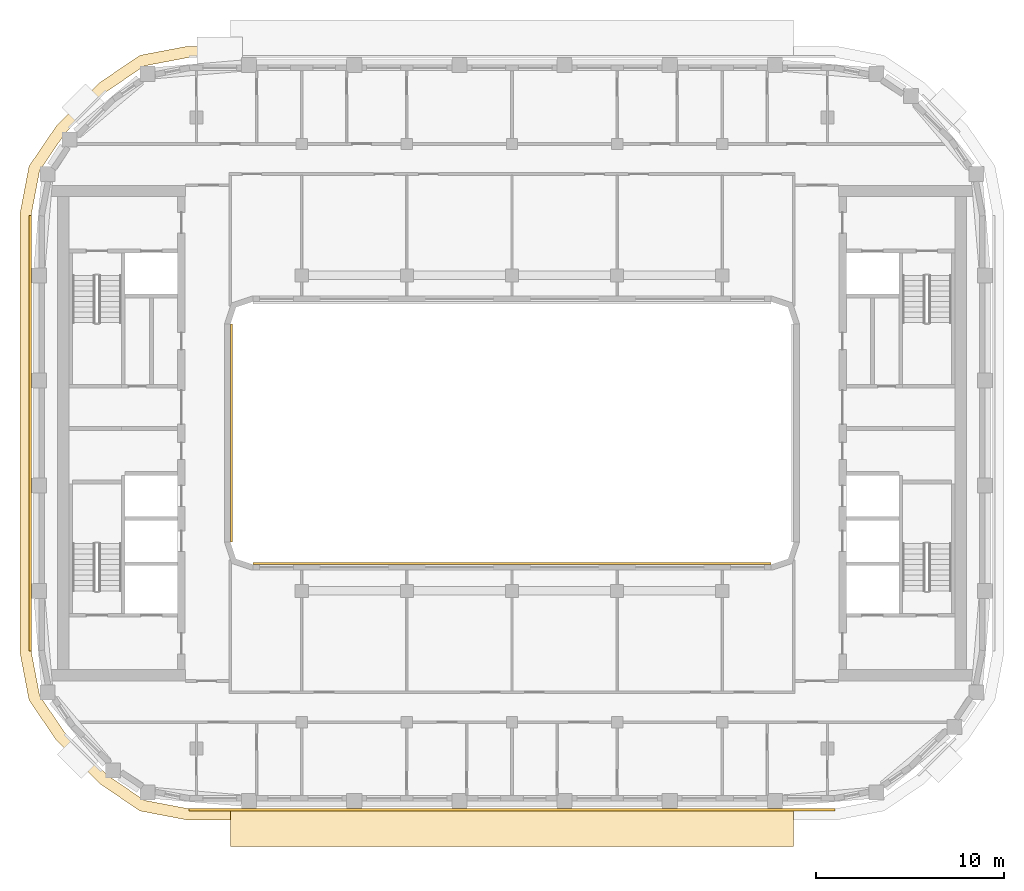
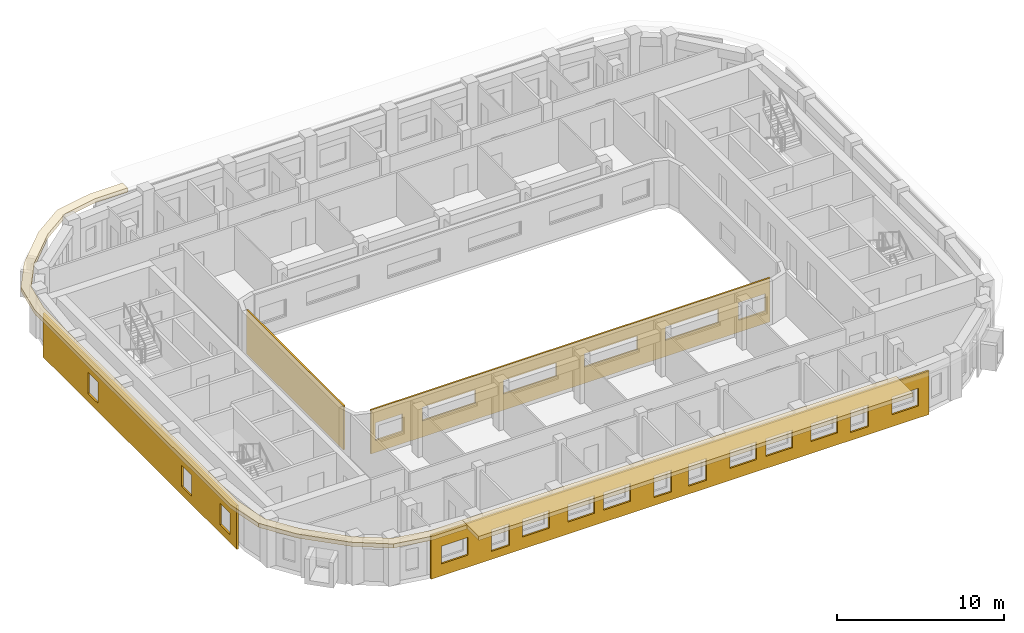
# One storey, part 10 of 15: 6 coverings.
"""IFC4 building model written with IfcOpenShell, lengths in metres."""

from ifc_helpers import new_model, si_unit, direction, frame, origin, place, context, subcontext, project, spatial, polyline, outline, extrude, material, layer, layer_set, type_object, element, save


model = new_model("IFC4")

# Units and contexts
model_context = context("Model", 3, precision=1e-05, world=origin(), true_north=direction((0.0, 1.0)))
body_context = subcontext(model_context, "Body", "Model", "MODEL_VIEW")
ifc_project = project(units=[si_unit("LENGTHUNIT", "METRE"), si_unit("AREAUNIT", "SQUARE_METRE"), si_unit("VOLUMEUNIT", "CUBIC_METRE"), si_unit("PLANEANGLEUNIT", "RADIAN"), si_unit("MASSUNIT", "GRAM", prefix="KILO")], contexts=[model_context])

# Site, building, storey
site_placement = place(None, origin())
site = spatial("IfcSite", under=ifc_project, at=site_placement, CompositionType="ELEMENT")
building_placement = place(site_placement, origin())
building = spatial("IfcBuilding", under=site, at=building_placement, Name="Kiln Ring Residences", CompositionType="ELEMENT")
storey_placement = place(building_placement, frame((0.0, 0.0, 252.199951171875)))
storey = spatial("IfcBuildingStorey", under=building, at=storey_placement, Name="L65", CompositionType="ELEMENT", Elevation=252.199951171875)

# Coverings
ifc_material_1 = material(Name="Brick masonry, dark clay brick", Category="masonry")
ifc_layer_1 = layer(ifc_material_1, 0.1201171875)
ifc_layer_set_1 = layer_set([ifc_layer_1], Name="RAINSCREEN PANEL 120")
covering_type_1 = type_object("IfcCoveringType", Name="RAINSCREEN PANEL 120", PredefinedType="CLADDING", material=ifc_layer_set_1)
covering_1_placement = place(storey_placement, frame((-17.199951171875, -20.06005859375, 0.0), z_axis=(0.0, 0.0, 1.0), x_axis=(1.0, 0.0, 0.0)))
element("IfcCovering", 1, at=covering_1_placement, inside=storey, type_object=covering_type_1, Name="RAINSCREEN L65", PredefinedType="CLADDING", context=body_context, shape_type="SweptSolid", body=[
    extrude(outline(polyline([(0.0, 0.0), (34.39990234375, 0.0), (34.39990234375, 3.199951171875), (0.0, 3.199951171875), (0.0, 0.0)]), holes=[polyline([(4.179931640625, 0.580078125), (5.419921875, 0.580078125), (5.419921875, 2.170166015625), (4.179931640625, 2.170166015625), (4.179931640625, 0.580078125)]), polyline([(15.3798828125, 2.170166015625), (15.3798828125, 0.580078125), (16.6201171875, 0.580078125), (16.6201171875, 2.170166015625), (15.3798828125, 2.170166015625)]), polyline([(0.717529296875, 2.170166015625), (0.717529296875, 0.880126953125), (2.5576171875, 0.880126953125), (2.5576171875, 2.170166015625), (0.717529296875, 2.170166015625)]), polyline([(6.3173828125, 0.880126953125), (8.157470703125, 0.880126953125), (8.157470703125, 2.170166015625), (6.3173828125, 2.170166015625), (6.3173828125, 0.880126953125)]), polyline([(9.4423828125, 2.170166015625), (9.4423828125, 0.880126953125), (11.282470703125, 0.880126953125), (11.282470703125, 2.170166015625), (9.4423828125, 2.170166015625)]), polyline([(11.91748046875, 2.170166015625), (11.91748046875, 0.880126953125), (13.757568359375, 0.880126953125), (13.757568359375, 2.170166015625), (11.91748046875, 2.170166015625)]), polyline([(17.780029296875, 0.580078125), (19.02001953125, 0.580078125), (19.02001953125, 2.170166015625), (17.780029296875, 2.170166015625), (17.780029296875, 0.580078125)]), polyline([(28.97998046875, 2.170166015625), (28.97998046875, 0.580078125), (30.219970703125, 0.580078125), (30.219970703125, 2.170166015625), (28.97998046875, 2.170166015625)]), polyline([(20.642578125, 2.170166015625), (20.642578125, 0.880126953125), (22.482421875, 0.880126953125), (22.482421875, 2.170166015625), (20.642578125, 2.170166015625)]), polyline([(23.117431640625, 0.880126953125), (24.95751953125, 0.880126953125), (24.95751953125, 2.170166015625), (23.117431640625, 2.170166015625), (23.117431640625, 0.880126953125)]), polyline([(26.242431640625, 2.170166015625), (26.242431640625, 0.880126953125), (28.08251953125, 0.880126953125), (28.08251953125, 2.170166015625), (26.242431640625, 2.170166015625)]), polyline([(31.842529296875, 2.170166015625), (31.842529296875, 0.880126953125), (33.6826171875, 0.880126953125), (33.6826171875, 2.170166015625), (31.842529296875, 2.170166015625)])]), frame((0.0, 0.06005859375, 0.0), z_axis=(0.0, -1.0, 0.0), x_axis=(1.0, 0.0, 0.0)), (0.0, 0.0, 1.0), 0.1201171875),
])
covering_2_placement = place(storey_placement, frame((-25.659912109375, 11.60009765625, 0.0), z_axis=(0.0, 0.0, 1.0), x_axis=(0.0, -1.0, 0.0)))
element("IfcCovering", 2, at=covering_2_placement, inside=storey, type_object=covering_type_1, Name="RAINSCREEN L65", PredefinedType="CLADDING", context=body_context, shape_type="SweptSolid", body=[
    extrude(outline(polyline([(0.0, 0.0), (23.199951171875, 0.0), (23.199951171875, 3.199951171875), (0.0, 3.199951171875), (0.0, 0.0)]), holes=[polyline([(6.60009765625, 2.150146484375), (5.39990234375, 2.150146484375), (5.39990234375, 0.60009765625), (6.60009765625, 0.60009765625), (6.60009765625, 2.150146484375)]), polyline([(17.800048828125, 0.60009765625), (17.800048828125, 2.150146484375), (16.60009765625, 2.150146484375), (16.60009765625, 0.60009765625), (17.800048828125, 0.60009765625)]), polyline([(22.39990234375, 0.60009765625), (22.39990234375, 2.150146484375), (21.199951171875, 2.150146484375), (21.199951171875, 0.60009765625), (22.39990234375, 0.60009765625)])]), frame((0.0, 0.06005859375, 0.0), z_axis=(0.0, -1.0, 0.0), x_axis=(1.0, 0.0, 0.0)), (0.0, 0.0, 1.0), 0.1201171875),
])
covering_3_placement = place(storey_placement, frame((-14.93994140625, -5.800048828125, 0.0), z_axis=(0.0, 0.0, 1.0), x_axis=(0.0, 1.0, 0.0)))
element("IfcCovering", 3, at=covering_3_placement, inside=storey, type_object=covering_type_1, Name="RAINSCREEN L65", PredefinedType="CLADDING", context=body_context, shape_type="SweptSolid", body=[
    extrude(outline(polyline([(0.0, 0.0), (11.60009765625, 0.0), (11.60009765625, 3.199951171875), (0.0, 3.199951171875), (0.0, 0.0)])), frame((0.0, 0.06005859375, 0.0), z_axis=(0.0, -1.0, 0.0), x_axis=(1.0, 0.0, 0.0)), (0.0, 0.0, 1.0), 0.1201171875),
])
covering_4_placement = place(storey_placement, frame((13.800048828125, -6.93994140625, 0.0), z_axis=(0.0, 0.0, 1.0), x_axis=(-1.0, 0.0, 0.0)))
element("IfcCovering", 4, at=covering_4_placement, inside=storey, type_object=covering_type_1, Name="RAINSCREEN L65", PredefinedType="CLADDING", context=body_context, shape_type="SweptSolid", body=[
    extrude(outline(polyline([(0.0, 0.0), (27.60009765625, 0.0), (27.60009765625, 3.199951171875), (0.0, 3.199951171875), (0.0, 0.0)]), holes=[polyline([(2.1826171875, 0.880126953125), (2.1826171875, 2.170166015625), (0.342529296875, 2.170166015625), (0.342529296875, 0.880126953125), (2.1826171875, 0.880126953125)]), polyline([(25.41748046875, 0.880126953125), (27.257568359375, 0.880126953125), (27.257568359375, 2.170166015625), (25.41748046875, 2.170166015625), (25.41748046875, 0.880126953125)]), polyline([(3.580078125, 1.179931640625), (7.219970703125, 1.179931640625), (7.219970703125, 2.170166015625), (3.580078125, 2.170166015625), (3.580078125, 1.179931640625)]), polyline([(12.820068359375, 1.179931640625), (12.820068359375, 2.170166015625), (9.179931640625, 2.170166015625), (9.179931640625, 1.179931640625), (12.820068359375, 1.179931640625)]), polyline([(14.780029296875, 1.179931640625), (18.419921875, 1.179931640625), (18.419921875, 2.170166015625), (14.780029296875, 2.170166015625), (14.780029296875, 1.179931640625)]), polyline([(20.3798828125, 1.179931640625), (24.02001953125, 1.179931640625), (24.02001953125, 2.170166015625), (20.3798828125, 2.170166015625), (20.3798828125, 1.179931640625)])]), frame((0.0, 0.06005859375, 0.0), z_axis=(0.0, -1.0, 0.0), x_axis=(1.0, 0.0, 0.0)), (0.0, 0.0, 1.0), 0.1201171875),
])
ifc_material_2 = material(Name="Black powder-coated steel", Category="steel")
ifc_layer_2 = layer(ifc_material_2, 0.300048828125)
ifc_layer_set_2 = layer_set([ifc_layer_2], Name="SUNSHADE BAND 2000")
covering_type_2 = type_object("IfcCoveringType", Name="SUNSHADE BAND 2000", PredefinedType="CLADDING", material=ifc_layer_set_2)
placement = place(storey_placement, frame((0.0, 0.0, 3.199951171875)))
element("IfcCovering", 5, at=placement, inside=storey, type_object=covering_type_2, Name="SUNSHADE BAND L65", PredefinedType="CLADDING", context=body_context, shape_type="SweptSolid", body=[
    extrude(outline(polyline([(-15.0, -22.0), (15.0, -22.0), (15.0, -20.0), (-15.0, -20.0), (-15.0, -22.0)])), origin(), (0.0, 0.0, 1.0), 0.300048828125),
])
ifc_material_3 = material(Name="Black powder-coated steel", Category="steel")
ifc_layer_3 = layer(ifc_material_3, 0.300048828125)
ifc_layer_set_3 = layer_set([ifc_layer_3], Name="SUNSHADE FIN 600")
covering_type_3 = type_object("IfcCoveringType", Name="SUNSHADE FIN 600", PredefinedType="CLADDING", material=ifc_layer_set_3)
element("IfcCovering", 6, at=placement, inside=storey, type_object=covering_type_3, Name="SUNSHADE FIN L65", PredefinedType="CLADDING", context=body_context, shape_type="SweptSolid", body=[
    extrude(outline(polyline([(-26.199951171875, -11.694580078125), (-25.71923828125, -14.215087890625), (-24.27685546875, -16.33740234375), (-21.937255859375, -18.677001953125), (-19.815185546875, -20.119140625), (-17.29443359375, -20.60009765625), (-15.0, -20.60009765625), (-15.0, -20.0), (-17.23779296875, -20.0), (-19.58056640625, -19.552978515625), (-21.55322265625, -18.21240234375), (-23.8125, -15.953125), (-25.153076171875, -13.980712890625), (-25.60009765625, -11.6376953125), (-25.60009765625, 11.6376953125), (-25.153076171875, 13.980712890625), (-23.8125, 15.953125), (-21.55322265625, 18.21240234375), (-19.58056640625, 19.552978515625), (-17.23779296875, 20.0), (-15.0, 20.0), (-15.0, 20.60009765625), (-17.29443359375, 20.60009765625), (-19.815185546875, 20.119140625), (-21.937255859375, 18.677001953125), (-24.27685546875, 16.33740234375), (-25.71923828125, 14.215087890625), (-26.199951171875, 11.694580078125), (-26.199951171875, -11.694580078125)])), origin(), (0.0, 0.0, 1.0), 0.300048828125),
])

save(model, "model.ifc")
